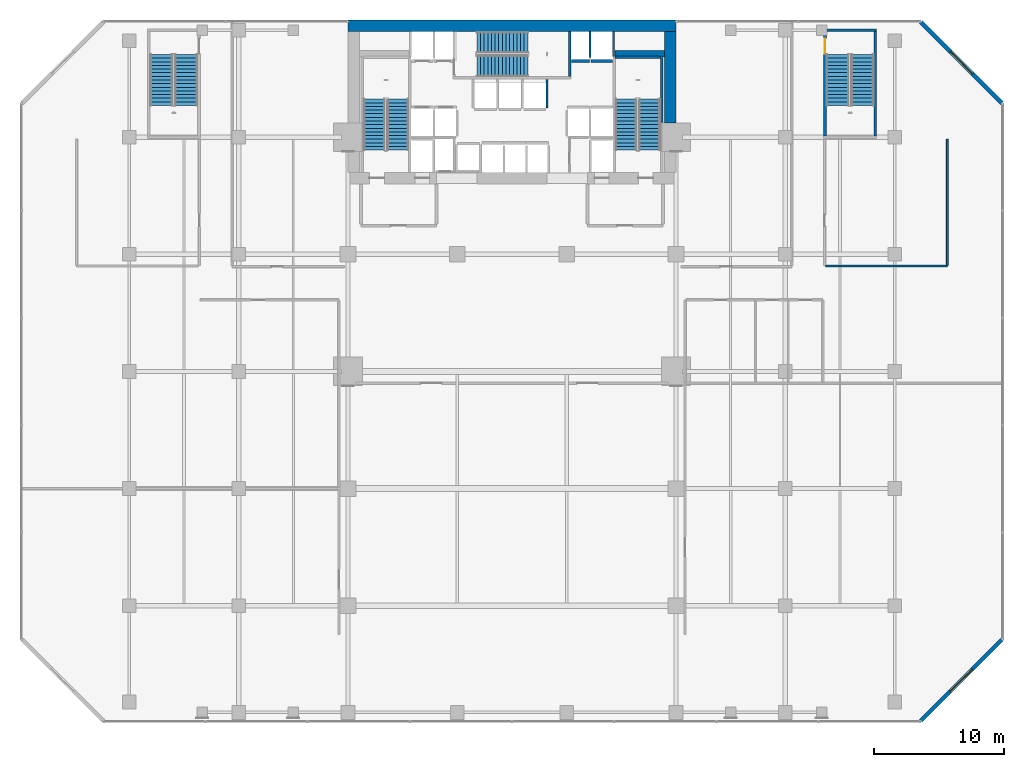
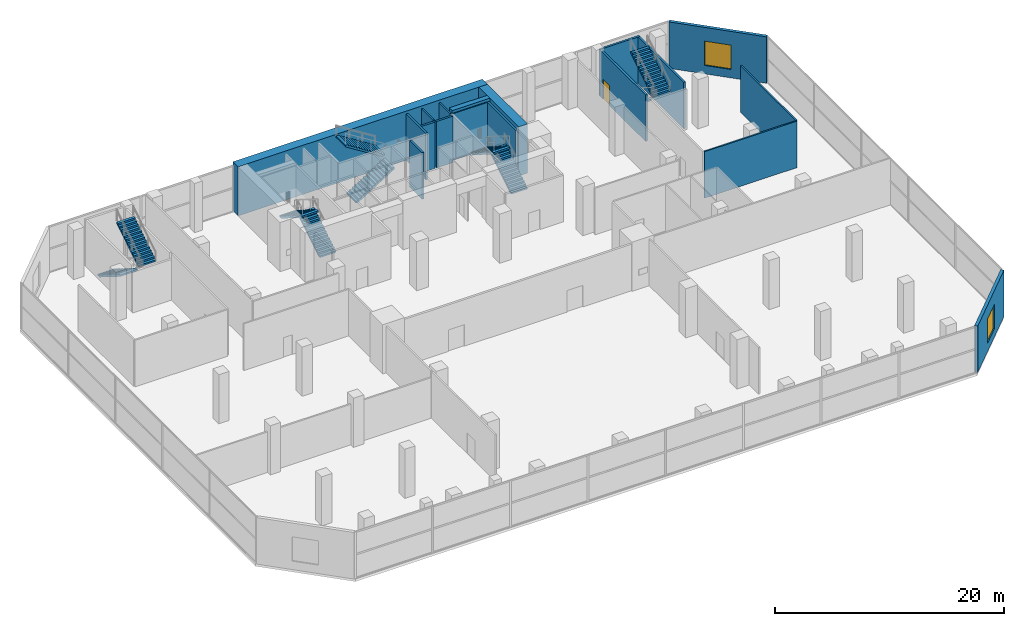
# One storey, part 37 of 40: 18 walls, 10 stair flights, 2 windows, 1 door, 3 openings, 5 elements without a shape of their own.
"""IFC4 building model written with IfcOpenShell, lengths in metres."""

import ifcopenshell
import ifcopenshell.guid

model = None  # the IFC model being written
_history = None  # IfcOwnerHistory: only IFC2X3 demands one
_inside = {}  # id of a spatial element -> (the spatial element, [elements in it])
_under = {}  # id of a project, library or spatial element -> (it, [spatial elements below it])
_declared = {}  # id of a project -> (the project, [libraries it declares])
_typed = {}  # id of a type object -> (the type object, [elements of that type])
_made_of = {}  # id of a material, layer set ... -> (it, [elements and type objects made of it])


def new_model(schema):
    """Start an empty IFC model of exactly this schema.

    Asked for "IFC4X3", IfcOpenShell would pick the latest addendum, in which some entities
    have other attributes; the version numbers below select the first issue.
    IFC2X3 requires an IfcOwnerHistory on every rooted entity: one is made here for all.
    """
    global model, _history
    if schema == "IFC4X3":
        model = ifcopenshell.file(schema_version=(4, 3, 0, 0))
    else:
        model = ifcopenshell.file(schema=schema)
    _inside.clear()
    _under.clear()
    _declared.clear()
    _typed.clear()
    _made_of.clear()
    _history = None
    if model.schema == "IFC2X3":
        org = make("IfcOrganization", Name="unknown")
        user = make(
            "IfcPersonAndOrganization",
            ThePerson=make("IfcPerson", FamilyName="unknown"),
            TheOrganization=org,
        )
        app = make(
            "IfcApplication",
            ApplicationDeveloper=org,
            Version="unknown",
            ApplicationFullName="unknown",
            ApplicationIdentifier="unknown",
        )
        _history = make(
            "IfcOwnerHistory",
            OwningUser=user,
            OwningApplication=app,
            ChangeAction="ADDED",
            CreationDate=0,
        )
    return model


def make(cls, **values):
    """One entity of the class cls with the attributes given. An attribute that is None is left unset."""
    return model.create_entity(
        cls, **{name: value for name, value in values.items() if value is not None}
    )


def rooted(cls, **values):
    """An entity with a GlobalId (a new one), such as an element, a storey or a relation."""
    return make(cls, GlobalId=ifcopenshell.guid.new(), OwnerHistory=_history, **values)


def si_unit(unit_type, name, prefix=None):
    """IfcSIUnit, for example si_unit("LENGTHUNIT", "METRE", prefix="MILLI")."""
    return make("IfcSIUnit", UnitType=unit_type, Prefix=prefix, Name=name)


def assignment(units):
    """IfcUnitAssignment: the units of a project."""
    return None if units is None else make("IfcUnitAssignment", Units=units)


def point(xyz):
    """IfcCartesianPoint."""
    return None if xyz is None else make("IfcCartesianPoint", Coordinates=xyz)


def direction(xyz):
    """IfcDirection."""
    return None if xyz is None else make("IfcDirection", DirectionRatios=xyz)


def frame(location, z_axis=None, x_axis=None):
    """IfcAxis2Placement3D, a coordinate frame: its origin and axes. An axis left out is left unset."""
    return make(
        "IfcAxis2Placement3D",
        Location=point(location),
        Axis=direction(z_axis),
        RefDirection=direction(x_axis),
    )


def frame_2d(location, x_axis=None):
    """IfcAxis2Placement2D, a coordinate frame in the plane: its origin and x axis."""
    return make(
        "IfcAxis2Placement2D", Location=point(location), RefDirection=direction(x_axis)
    )


def origin():
    """The frame at (0, 0, 0) with its axes left unset."""
    return frame((0.0, 0.0, 0.0))


def place(relative_to, where):
    """IfcLocalPlacement: puts the frame where relative to a parent placement (None: the world)."""
    return make(
        "IfcLocalPlacement", PlacementRelTo=relative_to, RelativePlacement=where
    )


def context(
    kind, dimensions, precision=None, world=None, true_north=None, identifier=None
):
    """IfcGeometricRepresentationContext, for example the 3D "Model" context."""
    return make(
        "IfcGeometricRepresentationContext",
        ContextIdentifier=identifier,
        ContextType=kind,
        CoordinateSpaceDimension=dimensions,
        Precision=precision,
        WorldCoordinateSystem=world,
        TrueNorth=true_north,
    )


def subcontext(parent, identifier, kind, view, scale=None):
    """IfcGeometricRepresentationSubContext, for example "Body" below "Model"."""
    return make(
        "IfcGeometricRepresentationSubContext",
        ContextIdentifier=identifier,
        ContextType=kind,
        ParentContext=parent,
        TargetScale=scale,
        TargetView=view,
    )


def project(units=None, contexts=None):
    """IfcProject with its units and contexts."""
    return rooted(
        "IfcProject",
        Name="project",
        RepresentationContexts=contexts,
        UnitsInContext=assignment(units),
    )


def spatial(cls, under=None, at=None, **own):
    """A site, building, storey or space (cls), placed at a placement, below another one or the project."""
    s = rooted(cls, ObjectPlacement=at, **own)
    if under is not None:
        _under.setdefault(under.id(), (under, []))[1].append(s)
    return s


def polyline(points):
    """IfcPolyline through the points."""
    return make("IfcPolyline", Points=[point(p) for p in points])


def profile(cls, at=None, kind="AREA", **sizes):
    """A parametric profile (cls). Its sizes go by their IFC names, for example OverallWidth=200.0."""
    return make(cls, ProfileType=kind, Position=at, **sizes)


def rectangle(**sizes):
    """IfcRectangleProfileDef."""
    return profile("IfcRectangleProfileDef", **sizes)


def outline(outer, holes=None, kind="AREA"):
    """IfcArbitraryClosedProfileDef: a profile drawn as a closed curve; with holes, ...WithVoids."""
    if holes is None:
        return make("IfcArbitraryClosedProfileDef", ProfileType=kind, OuterCurve=outer)
    return make(
        "IfcArbitraryProfileDefWithVoids",
        ProfileType=kind,
        OuterCurve=outer,
        InnerCurves=holes,
    )


def extrude(swept, where, along, depth):
    """IfcExtrudedAreaSolid: the profile swept, set in the frame where, extruded along a direction by depth."""
    return make(
        "IfcExtrudedAreaSolid",
        SweptArea=swept,
        Position=where,
        ExtrudedDirection=direction(along),
        Depth=depth,
    )


def shape(context_of_items, identifier, shape_type, items):
    """IfcShapeRepresentation: the items that make up one representation, for example the "Body"."""
    return make(
        "IfcShapeRepresentation",
        ContextOfItems=context_of_items,
        RepresentationIdentifier=identifier,
        RepresentationType=shape_type,
        Items=items,
    )


def material(Name=None, Category=None):
    """IfcMaterial."""
    return make("IfcMaterial", Name=Name, Category=Category)


def layer(
    of_material, thickness, ventilated=None, Name=None, Category=None, Priority=None
):
    """IfcMaterialLayer: one layer of a wall or slab, of a material (None: an air gap)."""
    return make(
        "IfcMaterialLayer",
        Material=of_material,
        LayerThickness=thickness,
        IsVentilated=ventilated,
        Name=Name,
        Category=Category,
        Priority=Priority,
    )


def layer_set(layers, Name=None):
    """IfcMaterialLayerSet."""
    return make("IfcMaterialLayerSet", MaterialLayers=layers, LayerSetName=Name)


def made_of(thing, what):
    """Note that an element or type object is made of a material, layer set ...; save() writes the relation."""
    if what is not None:
        _made_of.setdefault(what.id(), (what, []))[1].append(thing)
    return thing


def type_object(cls, material=None, **own):
    """A type object (cls), such as IfcWallType, which elements share."""
    return made_of(rooted(cls, **own), material)


def element(
    cls,
    number,
    at=None,
    inside=None,
    cuts=None,
    type_object=None,
    material=None,
    context=None,
    identifier="Body",
    shape_type=None,
    held_by="IfcProductDefinitionShape",
    body=None,
    shapes=None,
    **own,
):
    """One element of the class cls, such as IfcWall. Its Tag is "e" and its number.

    at: its placement. inside: the storey or other place that contains it. cuts: it is an
    opening in that element (IfcRelVoidsElement). A single representation is given by context,
    identifier, shape_type and body (its items); several are given by shapes. held_by: the class
    of the entity that holds the representations. save() writes the other relations.
    """
    e = rooted(cls, Tag="e%d" % number, ObjectPlacement=at, **own)
    if body is not None:
        shapes = [shape(context, identifier, shape_type, body)]
    if shapes is not None:
        e.Representation = make(held_by, Representations=shapes)
    if inside is not None:
        _inside.setdefault(inside.id(), (inside, []))[1].append(e)
    if cuts is not None:
        rooted(
            "IfcRelVoidsElement", RelatingBuildingElement=cuts, RelatedOpeningElement=e
        )
    if type_object is not None:
        _typed.setdefault(type_object.id(), (type_object, []))[1].append(e)
    return made_of(e, material)


def fill(opening, filler):
    """IfcRelFillsElement: the door or window that sits in an opening."""
    return rooted(
        "IfcRelFillsElement",
        RelatingOpeningElement=opening,
        RelatedBuildingElement=filler,
    )


def aggregate(whole, parts):
    """IfcRelAggregates: a whole, such as a stair, and the parts it consists of."""
    return rooted("IfcRelAggregates", RelatingObject=whole, RelatedObjects=parts)


def save(model, path):
    """Write the relations noted so far, then the file.

    IfcRelAggregates (storeys below a building ...), IfcRelContainedInSpatialStructure (elements
    in a storey), IfcRelDefinesByType, IfcRelAssociatesMaterial and IfcRelDeclares: one each for
    every whole, place, type object, material and project.
    """
    for whole, parts in _under.values():
        aggregate(whole, parts)
    for where, things in _inside.values():
        rooted(
            "IfcRelContainedInSpatialStructure",
            RelatedElements=things,
            RelatingStructure=where,
        )
    for kind, things in _typed.values():
        rooted("IfcRelDefinesByType", RelatedObjects=things, RelatingType=kind)
    for what, things in _made_of.values():
        rooted("IfcRelAssociatesMaterial", RelatedObjects=things, RelatingMaterial=what)
    for by, libraries in _declared.values():
        rooted("IfcRelDeclares", RelatingContext=by, RelatedDefinitions=libraries)
    model.write(path)


model = new_model("IFC4")

# Units and contexts
model_context = context("Model", 3, precision=1e-05, world=origin(), true_north=direction((0.0, 1.0)))
body_context = subcontext(model_context, "Body", "Model", "MODEL_VIEW")
ifc_project = project(units=[si_unit("LENGTHUNIT", "METRE"), si_unit("AREAUNIT", "SQUARE_METRE"), si_unit("VOLUMEUNIT", "CUBIC_METRE"), si_unit("PLANEANGLEUNIT", "RADIAN"), si_unit("MASSUNIT", "GRAM", prefix="KILO")], contexts=[model_context])

# Site, building, storey
site_placement = place(None, origin())
site = spatial("IfcSite", under=ifc_project, at=site_placement, CompositionType="ELEMENT")
building_placement = place(site_placement, origin())
building = spatial("IfcBuilding", under=site, at=building_placement, Name="Maruvema Waterfront Hotel and Observation Tower", CompositionType="ELEMENT")
storey_placement = place(building_placement, frame((0.0, 0.0, 5.60009765625)))
storey = spatial("IfcBuildingStorey", under=building, at=storey_placement, Name="L01", CompositionType="ELEMENT", Elevation=5.60009765625)

# Walls
ifc_material_1 = material(Name="Twin-stud acoustic gypsum drywall", Category="gypsum")
ifc_layer_1 = layer(ifc_material_1, 0.14990234375, Name="Acoustic Corridor and Suite Demising Wall 150 mm")
ifc_layer_set_1 = layer_set([ifc_layer_1], Name="Twin-stud acoustic gypsum drywall")
wall_type_1 = type_object("IfcWallType", Name="Acoustic Corridor and Suite Demising Wall 150 mm", PredefinedType="PARTITIONING", material=ifc_layer_set_1)
wall_1_placement = place(storey_placement, frame((61.89990234375, 35.10009765625, 0.0), z_axis=(0.0, 0.0, 1.0), x_axis=(1.0, 0.0, 0.0)))
element("IfcWall", 1, at=wall_1_placement, inside=storey, type_object=wall_type_1, Name="L01 L01 AV South Wall 034", PredefinedType="PARTITIONING", context=body_context, shape_type="SweptSolid", body=[
    extrude(rectangle(XDim=9.35009765625, YDim=0.14990234375, at=frame_2d((4.675048828125, 0.0))), origin(), (0.0, 0.0, 1.0), 4.969970703125),
])
wall_2_placement = place(storey_placement, frame((71.25, 35.14990234375, 0.0), z_axis=(0.0, 0.0, 1.0), x_axis=(0.0, 1.0, 0.0)))
element("IfcWall", 2, at=wall_2_placement, inside=storey, type_object=wall_type_1, Name="L01 L01 AV East Wall 035", PredefinedType="PARTITIONING", context=body_context, shape_type="SweptSolid", body=[
    extrude(rectangle(XDim=9.7001953125, YDim=0.14990234375, at=frame_2d((4.85009765625, 0.0))), origin(), (0.0, 0.0, 1.0), 4.969970703125),
])
ifc_material_2 = material(Name="Precast concrete C45/55", Category="concrete")
ifc_layer_2 = layer(ifc_material_2, 0.199951171875, Name="Core Shaft and Stairwell Enclosure Wall 200 mm")
ifc_layer_set_2 = layer_set([ifc_layer_2], Name="Precast concrete C45/55")
wall_type_2 = type_object("IfcWallType", Name="Core Shaft and Stairwell Enclosure Wall 200 mm", PredefinedType="SOLIDWALL", material=ifc_layer_set_2)
wall_3_placement = place(storey_placement, frame((42.25, 49.64990234375, 0.0), z_axis=(0.0, 0.0, 1.0), x_axis=(0.0, 1.0, 0.0)))
element("IfcWall", 3, at=wall_3_placement, inside=storey, type_object=wall_type_2, Name="L01 Stairwell ST-02 Shaft Wall", PredefinedType="SOLIDWALL", context=body_context, shape_type="SweptSolid", body=[
    extrude(rectangle(XDim=3.4501953125, YDim=0.199951171875, at=frame_2d((1.72509765625, 0.0))), origin(), (0.0, 0.0, 1.0), 4.969970703125),
])
wall_4_placement = place(storey_placement, frame((49.300048828125, 46.1201171875, 0.0), z_axis=(0.0, 0.0, 1.0), x_axis=(0.0, 1.0, 0.0)))
element("IfcWall", 4, at=wall_4_placement, inside=storey, type_object=wall_type_2, Name="L01 Stairwell ST-03 Shaft Lining Wall", PredefinedType="SOLIDWALL", context=body_context, shape_type="SweptSolid", body=[
    extrude(rectangle(XDim=5.0, YDim=0.199951171875, at=frame_2d((2.5, 0.0))), origin(), (0.0, 0.0, 1.0), 4.969970703125),
])
wall_5_placement = place(storey_placement, frame((45.719970703125, 51.14990234375, 0.0), z_axis=(0.0, 0.0, 1.0), x_axis=(1.0, 0.0, 0.0)))
element("IfcWall", 5, at=wall_5_placement, inside=storey, type_object=wall_type_2, Name="L01 Stairwell ST-03 Shaft Lining Wall", PredefinedType="SOLIDWALL", context=body_context, shape_type="SweptSolid", body=[
    extrude(rectangle(XDim=3.5, YDim=0.199951171875, at=frame_2d((1.75, 0.0))), origin(), (0.0, 0.0, 1.0), 4.969970703125),
])

# Wall, opening, door
wall_6_placement = place(storey_placement, frame((61.85009765625, 45.10009765625, 0.0), z_axis=(0.0, 0.0, 1.0), x_axis=(0.0, 1.0, 0.0)))
wall_6 = element("IfcWall", 6, at=wall_6_placement, inside=storey, type_object=wall_type_2, Name="L01 Stairwell ST-05 Shaft Wall", PredefinedType="SOLIDWALL", context=body_context, shape_type="SweptSolid", body=[
    extrude(rectangle(XDim=8.099853515625, YDim=0.199951171875, at=frame_2d((4.0498046875, 0.0))), origin(), (0.0, 0.0, 1.0), 4.969970703125),
])
opening_1_placement = place(wall_6_placement, frame((6.320068359375, 0.0, 0.0)))
opening_1 = element("IfcOpeningElement", 7, at=opening_1_placement, cuts=wall_6, Name="Opening SD-01", PredefinedType="OPENING", context=body_context, shape_type="SweptSolid", body=[
    extrude(rectangle(XDim=1.14990234375, YDim=2.14990234375, at=frame_2d((0.574951171875, 1.074951171875))), frame((0.0, 0.10986328125, 0.0), z_axis=(0.0, -1.0, 0.0), x_axis=(1.0, 0.0, 0.0)), (0.0, 0.0, 1.0), 0.219970703125),
])
ifc_material_3 = material(Name="Fire-rated galvanised steel leaf", Category="steel")
door_type = type_object("IfcDoorType", Name="Exit Stair Fire Door 1150x2150 mm", OperationType="NOTDEFINED", PredefinedType="DOOR", material=ifc_material_3)
door_placement = place(opening_1_placement, frame((1.14990234375, 0.0, 0.0), z_axis=(0.0, 0.0, 1.0), x_axis=(-1.0, 0.0, 0.0)))
door = element("IfcDoor", 8, at=door_placement, inside=storey, type_object=door_type, Name="L01 Exit Stair ST-05 Fire Door", OperationType="SINGLE_SWING_LEFT", OverallHeight=2.14990234375, OverallWidth=1.14990234375, PredefinedType="DOOR", context=body_context, shape_type="SweptSolid", body=[
    extrude(rectangle(XDim=1.14990234375, YDim=2.14990234375, at=frame_2d((0.574951171875, 1.074951171875))), frame((0.0, 0.02490234375, 0.0), z_axis=(0.0, -1.0, 0.0), x_axis=(1.0, 0.0, 0.0)), (0.0, 0.0, 1.0), 0.050048828125),
])
fill(opening_1, door)

# Walls
wall_7_placement = place(storey_placement, frame((65.699951171875, 45.10009765625, 0.0), z_axis=(0.0, 0.0, 1.0), x_axis=(0.0, 1.0, 0.0)))
element("IfcWall", 9, at=wall_7_placement, inside=storey, type_object=wall_type_2, Name="L01 Stairwell ST-05 Shaft Wall", PredefinedType="SOLIDWALL", context=body_context, shape_type="SweptSolid", body=[
    extrude(rectangle(XDim=8.099853515625, YDim=0.199951171875, at=frame_2d((4.0498046875, 0.0))), origin(), (0.0, 0.0, 1.0), 4.969970703125),
])
wall_8_placement = place(storey_placement, frame((61.75, 53.199951171875, 0.0), z_axis=(0.0, 0.0, 1.0), x_axis=(1.0, 0.0, 0.0)))
element("IfcWall", 10, at=wall_8_placement, inside=storey, type_object=wall_type_2, Name="L01 Stairwell ST-05 Shaft Wall", PredefinedType="SOLIDWALL", context=body_context, shape_type="SweptSolid", body=[
    extrude(rectangle(XDim=4.050048828125, YDim=0.199951171875, at=frame_2d((2.02490234375, 0.0))), origin(), (0.0, 0.0, 1.0), 4.969970703125),
])
wall_9_placement = place(storey_placement, frame((42.360107421875, 50.85009765625, 0.0), z_axis=(0.0, 0.0, 1.0), x_axis=(1.0, 0.0, 0.0)))
element("IfcWall", 11, at=wall_9_placement, inside=storey, type_object=wall_type_2, Name="L01 Lift LF-07 Hoistway Front Wall", PredefinedType="SOLIDWALL", context=body_context, shape_type="SweptSolid", body=[
    extrude(rectangle(XDim=1.3798828125, YDim=0.199951171875, at=frame_2d((0.68994140625, 0.0))), origin(), (0.0, 0.0, 1.0), 4.969970703125),
])
wall_10_placement = place(storey_placement, frame((43.860107421875, 50.85009765625, 0.0), z_axis=(0.0, 0.0, 1.0), x_axis=(1.0, 0.0, 0.0)))
element("IfcWall", 12, at=wall_10_placement, inside=storey, type_object=wall_type_2, Name="L01 Lift LF-08 Hoistway Front Wall", PredefinedType="SOLIDWALL", context=body_context, shape_type="SweptSolid", body=[
    extrude(rectangle(XDim=1.679931640625, YDim=0.199951171875, at=frame_2d((0.83984375, 0.0))), origin(), (0.0, 0.0, 1.0), 4.969970703125),
])
ifc_material_4 = material(Name="Concrete C70/85", Category="concrete")
ifc_layer_3 = layer(ifc_material_4, 0.5, Name="Core Shear Wall 500 mm")
ifc_layer_set_3 = layer_set([ifc_layer_3], Name="Concrete C70/85")
wall_type_3 = type_object("IfcWallType", Name="Core Shear Wall 500 mm", PredefinedType="SHEAR", material=ifc_layer_set_3)
wall_11_placement = place(storey_placement, frame((45.699951171875, 51.39990234375, 0.0), z_axis=(0.0, 0.0, 1.0), x_axis=(1.0, 0.0, 0.0)))
element("IfcWall", 13, at=wall_11_placement, inside=storey, type_object=wall_type_3, Name="L01 Internal Core Shear Wall NE 500 mm", PredefinedType="SHEAR", context=body_context, shape_type="SweptSolid", body=[
    extrude(rectangle(XDim=3.800048828125, YDim=0.5, at=frame_2d((1.89990234375, 0.0))), origin(), (0.0, 0.0, 1.0), 5.25),
])
ifc_material_5 = material(Name="Concrete C80/95", Category="concrete")
ifc_layer_4 = layer(ifc_material_5, 0.89990234375, Name="Core Shear Wall 900 mm")
ifc_layer_set_4 = layer_set([ifc_layer_4], Name="Concrete C80/95")
wall_type_4 = type_object("IfcWallType", Name="Core Shear Wall 900 mm", PredefinedType="SHEAR", material=ifc_layer_set_4)
wall_12_placement = place(storey_placement, frame((25.199951171875, 53.550048828125, 0.0), z_axis=(0.0, 0.0, 1.0), x_axis=(1.0, 0.0, 0.0)))
element("IfcWall", 14, at=wall_12_placement, inside=storey, type_object=wall_type_4, Name="L01 North Core Shear Wall", PredefinedType="SHEAR", context=body_context, shape_type="SweptSolid", body=[
    extrude(rectangle(XDim=25.199951171875, YDim=0.89990234375, at=frame_2d((12.60009765625, 0.0))), origin(), (0.0, 0.0, 1.0), 5.25),
])
wall_13_placement = place(storey_placement, frame((49.949951171875, 46.10009765625, 0.0), z_axis=(0.0, 0.0, 1.0), x_axis=(0.0, 1.0, 0.0)))
element("IfcWall", 15, at=wall_13_placement, inside=storey, type_object=wall_type_4, Name="L01 East-North Core Shear Wall", PredefinedType="SHEAR", context=body_context, shape_type="SweptSolid", body=[
    extrude(rectangle(XDim=7.0, YDim=0.89990234375, at=frame_2d((3.5, 0.0))), origin(), (0.0, 0.0, 1.0), 5.25),
])
ifc_material_6 = material(Name="Precast concrete C45/55", Category="concrete")
ifc_layer_5 = layer(ifc_material_6, 0.159912109375, Name="Lift Hoistway Divider Wall 160 mm")
ifc_layer_set_5 = layer_set([ifc_layer_5], Name="Precast concrete C45/55")
wall_type_5 = type_object("IfcWallType", Name="Lift Hoistway Divider Wall 160 mm", PredefinedType="SOLIDWALL", material=ifc_layer_set_5)
wall_14_placement = place(storey_placement, frame((45.590087890625, 51.179931640625, 0.0), z_axis=(0.0, 0.0, 1.0), x_axis=(0.0, 1.0, 0.0)))
element("IfcWall", 16, at=wall_14_placement, inside=storey, type_object=wall_type_5, Name="L01 Hoistway Divider Wall", PredefinedType="SOLIDWALL", context=body_context, shape_type="SweptSolid", body=[
    extrude(rectangle(XDim=1.920166015625, YDim=0.159912109375, at=frame_2d((0.9599609375, 0.0))), origin(), (0.0, 0.0, 1.0), 4.969970703125),
])
wall_15_placement = place(storey_placement, frame((43.800048828125, 51.10009765625, 0.0), z_axis=(0.0, 0.0, 1.0), x_axis=(0.0, 1.0, 0.0)))
element("IfcWall", 17, at=wall_15_placement, inside=storey, type_object=wall_type_5, Name="L01 Hoistway Divider Wall", PredefinedType="SOLIDWALL", context=body_context, shape_type="SweptSolid", body=[
    extrude(rectangle(XDim=2.0, YDim=0.159912109375, at=frame_2d((1.0, 0.0))), origin(), (0.0, 0.0, 1.0), 4.969970703125),
])
wall_16_placement = place(storey_placement, frame((40.5, 47.25, 0.0), z_axis=(0.0, 0.0, 1.0), x_axis=(0.0, 1.0, 0.0)))
element("IfcWall", 18, at=wall_16_placement, inside=storey, type_object=wall_type_5, Name="L01 Hoistway Divider Wall", PredefinedType="SOLIDWALL", context=body_context, shape_type="SweptSolid", body=[
    extrude(rectangle(XDim=2.18994140625, YDim=0.159912109375, at=frame_2d((1.094970703125, 0.0))), origin(), (0.0, 0.0, 1.0), 4.969970703125),
])

# Wall, opening, window
ifc_material_7 = material(Name="Precast concrete C45/55 with honed Pernambuco granite facing", Category="masonry")
ifc_layer_6 = layer(ifc_material_7, 0.300048828125, Name="Podium Waterfront Granite Colonnade Wall 300 mm")
ifc_layer_set_6 = layer_set([ifc_layer_6], Name="Precast concrete C45/55 with honed Pernambuco granite facing")
wall_type_6 = type_object("IfcWallType", Name="Podium Waterfront Granite Colonnade Wall 300 mm", PredefinedType="SOLIDWALL", material=ifc_layer_set_6)
wall_17_placement = place(storey_placement, frame((69.199951171875, 0.14990234375, 0.0), z_axis=(0.0, 0.0, 1.0), x_axis=(0.707106781187, 0.707106781187, 0.0)))
wall_17 = element("IfcWall", 19, at=wall_17_placement, inside=storey, type_object=wall_type_6, Name="L01 Podium Chamfer Granite Pier Wall SE", PredefinedType="SOLIDWALL", context=body_context, shape_type="SweptSolid", body=[
    extrude(rectangle(XDim=8.8388671875, YDim=0.300048828125, at=frame_2d((4.41943359375, 0.0))), origin(), (0.0, 0.0, 1.0), 4.969970703125),
])
opening_2_placement = place(wall_17_placement, frame((3.199951171875, 0.0, 0.89990234375)))
opening_2 = element("IfcOpeningElement", 20, at=opening_2_placement, cuts=wall_17, Name="Opening WN-04", PredefinedType="OPENING", context=body_context, shape_type="SweptSolid", body=[
    extrude(rectangle(XDim=2.39990234375, YDim=2.60009765625, at=frame_2d((1.199951171875, 1.300048828125))), frame((0.0, 0.16015625, 0.0), z_axis=(0.0, -1.0, 0.0), x_axis=(1.0, 0.0, 0.0)), (0.0, 0.0, 1.0), 0.320068359375),
])
ifc_material_8 = material(Name="Anodised bronze aluminium frame with laminated low-E glass", Category="aluminium")
window_type = type_object("IfcWindowType", Name="Podium Waterfront Punched Window 2400x2600 mm", PartitioningType="SINGLE_PANEL", PredefinedType="WINDOW", material=ifc_material_8)
window_1_placement = place(opening_2_placement, origin())
window_1 = element("IfcWindow", 21, at=window_1_placement, inside=storey, type_object=window_type, Name="L01 Podium Chamfer Feature Window SE", OverallHeight=2.60009765625, OverallWidth=2.39990234375, PartitioningType="SINGLE_PANEL", PredefinedType="WINDOW", context=body_context, shape_type="SweptSolid", body=[
    extrude(rectangle(XDim=2.39990234375, YDim=2.60009765625, at=frame_2d((1.199951171875, 1.300048828125))), frame((0.0, 0.030029296875, 0.0), z_axis=(0.0, -1.0, 0.0), x_axis=(1.0, 0.0, 0.0)), (0.0, 0.0, 1.0), 0.06005859375),
])
fill(opening_2, window_1)

wall_18_placement = place(storey_placement, frame((75.449951171875, 47.60009765625, 0.0), z_axis=(0.0, 0.0, 1.0), x_axis=(-0.707106781187, 0.707106781187, 0.0)))
wall_18 = element("IfcWall", 22, at=wall_18_placement, inside=storey, type_object=wall_type_6, Name="L01 Podium Chamfer Granite Pier Wall NE", PredefinedType="SOLIDWALL", context=body_context, shape_type="SweptSolid", body=[
    extrude(rectangle(XDim=8.8388671875, YDim=0.300048828125, at=frame_2d((4.41943359375, 0.0))), origin(), (0.0, 0.0, 1.0), 4.969970703125),
])
opening_3_placement = place(wall_18_placement, frame((3.199951171875, 0.0, 0.89990234375)))
opening_3 = element("IfcOpeningElement", 23, at=opening_3_placement, cuts=wall_18, Name="Opening WN-04", PredefinedType="OPENING", context=body_context, shape_type="SweptSolid", body=[
    extrude(rectangle(XDim=2.39990234375, YDim=2.60009765625, at=frame_2d((1.199951171875, 1.300048828125))), frame((0.0, 0.16015625, 0.0), z_axis=(0.0, -1.0, 0.0), x_axis=(1.0, 0.0, 0.0)), (0.0, 0.0, 1.0), 0.320068359375),
])
window_2_placement = place(opening_3_placement, origin())
window_2 = element("IfcWindow", 24, at=window_2_placement, inside=storey, type_object=window_type, Name="L01 Podium Chamfer Feature Window NE", OverallHeight=2.60009765625, OverallWidth=2.39990234375, PartitioningType="SINGLE_PANEL", PredefinedType="WINDOW", context=body_context, shape_type="SweptSolid", body=[
    extrude(rectangle(XDim=2.39990234375, YDim=2.60009765625, at=frame_2d((1.199951171875, 1.300048828125))), frame((0.0, 0.030029296875, 0.0), z_axis=(0.0, -1.0, 0.0), x_axis=(1.0, 0.0, 0.0)), (0.0, 0.0, 1.0), 0.06005859375),
])
fill(opening_3, window_2)

# Stair, stair flights
ifc_material_9 = material(Name="Concrete C50/60", Category="concrete")
stair_type_1 = type_object("IfcStairType", Name="Dogleg Exit Stair 1650 mm (30R x 175.0 mm)", PredefinedType="HALF_TURN_STAIR", material=ifc_material_9)
stair_1_placement = place(storey_placement, origin())
stair_1 = element("IfcStair", 25, at=stair_1_placement, inside=storey, type_object=stair_type_1, Name="L01 ST-01", PredefinedType="HALF_TURN_STAIR")
ifc_material_10 = material(Name="Concrete C50/60", Category="concrete")
stair_flight_type_1 = type_object("IfcStairFlightType", Name="Reinforced Concrete Stair Flight 1650 mm (15R x 175.0 mm)", PredefinedType="STRAIGHT", material=ifc_material_10)
stair_flight_1_placement = place(storey_placement, frame((29.02490234375, 44.0, 0.0), z_axis=(0.0, 0.0, 1.0), x_axis=(0.0, 1.0, 0.0)))
stair_flight_1 = element("IfcStairFlight", 26, at=stair_flight_1_placement, type_object=stair_flight_type_1, Name="ST-01 flight 1", NumberOfRisers=15, NumberOfTreads=14, PredefinedType="STRAIGHT", RiserHeight=0.175, TreadLength=0.28, context=body_context, shape_type="SweptSolid", body=[
    extrude(outline(polyline([(0.0, 0.0), (0.0, 0.175048828125), (0.280029296875, 0.175048828125), (0.280029296875, 0.35009765625), (0.56005859375, 0.35009765625), (0.56005859375, 0.52490234375), (0.840087890625, 0.52490234375), (0.840087890625, 0.699951171875), (1.1201171875, 0.699951171875), (1.1201171875, 0.875), (1.39990234375, 0.875), (1.39990234375, 1.050048828125), (1.679931640625, 1.050048828125), (1.679931640625, 1.22509765625), (1.9599609375, 1.22509765625), (1.9599609375, 1.39990234375), (2.239990234375, 1.39990234375), (2.239990234375, 1.574951171875), (2.52001953125, 1.574951171875), (2.52001953125, 1.75), (2.800048828125, 1.75), (2.800048828125, 1.925048828125), (3.080078125, 1.925048828125), (3.080078125, 2.10009765625), (3.360107421875, 2.10009765625), (3.360107421875, 2.27490234375), (3.639892578125, 2.27490234375), (3.639892578125, 2.449951171875), (3.919921875, 2.449951171875), (3.919921875, 2.625), (3.919921875, 2.273193359375), (0.28271484375, 0.0), (0.0, 0.0)])), frame((0.0, 0.824951171875, 0.0), z_axis=(0.0, -1.0, 0.0), x_axis=(1.0, 0.0, 0.0)), (0.0, 0.0, 1.0), 1.64990234375),
])
stair_flight_2_placement = place(storey_placement, frame((27.22509765625, 47.919921875, 2.625), z_axis=(0.0, 0.0, 1.0), x_axis=(0.0, -1.0, 0.0)))
stair_flight_2 = element("IfcStairFlight", 27, at=stair_flight_2_placement, type_object=stair_flight_type_1, Name="ST-01 flight 2", NumberOfRisers=15, NumberOfTreads=14, PredefinedType="STRAIGHT", RiserHeight=0.175, TreadLength=0.28, context=body_context, shape_type="SweptSolid", body=[
    extrude(outline(polyline([(0.0, 0.0), (0.0, 0.175048828125), (0.280029296875, 0.175048828125), (0.280029296875, 0.35009765625), (0.56005859375, 0.35009765625), (0.56005859375, 0.52490234375), (0.840087890625, 0.52490234375), (0.840087890625, 0.699951171875), (1.1201171875, 0.699951171875), (1.1201171875, 0.875), (1.39990234375, 0.875), (1.39990234375, 1.050048828125), (1.679931640625, 1.050048828125), (1.679931640625, 1.22509765625), (1.9599609375, 1.22509765625), (1.9599609375, 1.39990234375), (2.239990234375, 1.39990234375), (2.239990234375, 1.574951171875), (2.52001953125, 1.574951171875), (2.52001953125, 1.75), (2.800048828125, 1.75), (2.800048828125, 1.925048828125), (3.080078125, 1.925048828125), (3.080078125, 2.10009765625), (3.360107421875, 2.10009765625), (3.360107421875, 2.27490234375), (3.639892578125, 2.27490234375), (3.639892578125, 2.449951171875), (3.919921875, 2.449951171875), (3.919921875, 2.625), (3.919921875, 2.273193359375), (0.28271484375, 0.0), (0.0, 0.0)])), frame((0.0, 0.824951171875, 0.0), z_axis=(0.0, -1.0, 0.0), x_axis=(1.0, 0.0, 0.0)), (0.0, 0.0, 1.0), 1.64990234375),
])
aggregate(stair_1, [stair_flight_1, stair_flight_2])

stair_2_placement = place(storey_placement, origin())
stair_2 = element("IfcStair", 28, at=stair_2_placement, inside=storey, type_object=stair_type_1, Name="L01 ST-02", PredefinedType="HALF_TURN_STAIR")
stair_flight_3_placement = place(storey_placement, frame((35.10009765625, 50.47509765625, 0.0), z_axis=(0.0, 0.0, 1.0), x_axis=(1.0, 0.0, 0.0)))
stair_flight_3 = element("IfcStairFlight", 29, at=stair_flight_3_placement, type_object=stair_flight_type_1, Name="ST-02 flight 1", NumberOfRisers=15, NumberOfTreads=14, PredefinedType="STRAIGHT", RiserHeight=0.175, TreadLength=0.28, context=body_context, shape_type="SweptSolid", body=[
    extrude(outline(polyline([(0.0, 0.0), (0.0, 0.175048828125), (0.280029296875, 0.175048828125), (0.280029296875, 0.35009765625), (0.56005859375, 0.35009765625), (0.56005859375, 0.52490234375), (0.840087890625, 0.52490234375), (0.840087890625, 0.699951171875), (1.1201171875, 0.699951171875), (1.1201171875, 0.875), (1.39990234375, 0.875), (1.39990234375, 1.050048828125), (1.679931640625, 1.050048828125), (1.679931640625, 1.22509765625), (1.9599609375, 1.22509765625), (1.9599609375, 1.39990234375), (2.239990234375, 1.39990234375), (2.239990234375, 1.574951171875), (2.52001953125, 1.574951171875), (2.52001953125, 1.75), (2.800048828125, 1.75), (2.800048828125, 1.925048828125), (3.080078125, 1.925048828125), (3.080078125, 2.10009765625), (3.360107421875, 2.10009765625), (3.360107421875, 2.27490234375), (3.639892578125, 2.27490234375), (3.639892578125, 2.449951171875), (3.919921875, 2.449951171875), (3.919921875, 2.625), (3.919921875, 2.273193359375), (0.28271484375, 0.0), (0.0, 0.0)])), frame((0.0, 0.824951171875, 0.0), z_axis=(0.0, -1.0, 0.0), x_axis=(1.0, 0.0, 0.0)), (0.0, 0.0, 1.0), 1.64990234375),
])
stair_flight_4_placement = place(storey_placement, frame((39.02001953125, 52.27490234375, 2.625), z_axis=(0.0, 0.0, 1.0), x_axis=(-1.0, 0.0, 0.0)))
stair_flight_4 = element("IfcStairFlight", 30, at=stair_flight_4_placement, type_object=stair_flight_type_1, Name="ST-02 flight 2", NumberOfRisers=15, NumberOfTreads=14, PredefinedType="STRAIGHT", RiserHeight=0.175, TreadLength=0.28, context=body_context, shape_type="SweptSolid", body=[
    extrude(outline(polyline([(0.0, 0.0), (0.0, 0.175048828125), (0.280029296875, 0.175048828125), (0.280029296875, 0.35009765625), (0.56005859375, 0.35009765625), (0.56005859375, 0.52490234375), (0.840087890625, 0.52490234375), (0.840087890625, 0.699951171875), (1.1201171875, 0.699951171875), (1.1201171875, 0.875), (1.39990234375, 0.875), (1.39990234375, 1.050048828125), (1.679931640625, 1.050048828125), (1.679931640625, 1.22509765625), (1.9599609375, 1.22509765625), (1.9599609375, 1.39990234375), (2.239990234375, 1.39990234375), (2.239990234375, 1.574951171875), (2.52001953125, 1.574951171875), (2.52001953125, 1.75), (2.800048828125, 1.75), (2.800048828125, 1.925048828125), (3.080078125, 1.925048828125), (3.080078125, 2.10009765625), (3.360107421875, 2.10009765625), (3.360107421875, 2.27490234375), (3.639892578125, 2.27490234375), (3.639892578125, 2.449951171875), (3.919921875, 2.449951171875), (3.919921875, 2.625), (3.919921875, 2.273193359375), (0.28271484375, 0.0), (0.0, 0.0)])), frame((0.0, 0.824951171875, 0.0), z_axis=(0.0, -1.0, 0.0), x_axis=(1.0, 0.0, 0.0)), (0.0, 0.0, 1.0), 1.64990234375),
])
aggregate(stair_2, [stair_flight_3, stair_flight_4])

stair_3_placement = place(storey_placement, origin())
stair_3 = element("IfcStair", 31, at=stair_3_placement, inside=storey, type_object=stair_type_1, Name="L01 ST-03", PredefinedType="HALF_TURN_STAIR")
stair_flight_5_placement = place(storey_placement, frame((48.375, 44.0, 0.0), z_axis=(0.0, 0.0, 1.0), x_axis=(0.0, 1.0, 0.0)))
stair_flight_5 = element("IfcStairFlight", 32, at=stair_flight_5_placement, type_object=stair_flight_type_1, Name="ST-03 flight 1", NumberOfRisers=15, NumberOfTreads=14, PredefinedType="STRAIGHT", RiserHeight=0.175, TreadLength=0.28, context=body_context, shape_type="SweptSolid", body=[
    extrude(outline(polyline([(0.0, 0.0), (0.0, 0.175048828125), (0.280029296875, 0.175048828125), (0.280029296875, 0.35009765625), (0.56005859375, 0.35009765625), (0.56005859375, 0.52490234375), (0.840087890625, 0.52490234375), (0.840087890625, 0.699951171875), (1.1201171875, 0.699951171875), (1.1201171875, 0.875), (1.39990234375, 0.875), (1.39990234375, 1.050048828125), (1.679931640625, 1.050048828125), (1.679931640625, 1.22509765625), (1.9599609375, 1.22509765625), (1.9599609375, 1.39990234375), (2.239990234375, 1.39990234375), (2.239990234375, 1.574951171875), (2.52001953125, 1.574951171875), (2.52001953125, 1.75), (2.800048828125, 1.75), (2.800048828125, 1.925048828125), (3.080078125, 1.925048828125), (3.080078125, 2.10009765625), (3.360107421875, 2.10009765625), (3.360107421875, 2.27490234375), (3.639892578125, 2.27490234375), (3.639892578125, 2.449951171875), (3.919921875, 2.449951171875), (3.919921875, 2.625), (3.919921875, 2.273193359375), (0.28271484375, 0.0), (0.0, 0.0)])), frame((0.0, 0.824951171875, 0.0), z_axis=(0.0, -1.0, 0.0), x_axis=(1.0, 0.0, 0.0)), (0.0, 0.0, 1.0), 1.64990234375),
])
stair_flight_6_placement = place(storey_placement, frame((46.574951171875, 47.919921875, 2.625), z_axis=(0.0, 0.0, 1.0), x_axis=(0.0, -1.0, 0.0)))
stair_flight_6 = element("IfcStairFlight", 33, at=stair_flight_6_placement, type_object=stair_flight_type_1, Name="ST-03 flight 2", NumberOfRisers=15, NumberOfTreads=14, PredefinedType="STRAIGHT", RiserHeight=0.175, TreadLength=0.28, context=body_context, shape_type="SweptSolid", body=[
    extrude(outline(polyline([(0.0, 0.0), (0.0, 0.175048828125), (0.280029296875, 0.175048828125), (0.280029296875, 0.35009765625), (0.56005859375, 0.35009765625), (0.56005859375, 0.52490234375), (0.840087890625, 0.52490234375), (0.840087890625, 0.699951171875), (1.1201171875, 0.699951171875), (1.1201171875, 0.875), (1.39990234375, 0.875), (1.39990234375, 1.050048828125), (1.679931640625, 1.050048828125), (1.679931640625, 1.22509765625), (1.9599609375, 1.22509765625), (1.9599609375, 1.39990234375), (2.239990234375, 1.39990234375), (2.239990234375, 1.574951171875), (2.52001953125, 1.574951171875), (2.52001953125, 1.75), (2.800048828125, 1.75), (2.800048828125, 1.925048828125), (3.080078125, 1.925048828125), (3.080078125, 2.10009765625), (3.360107421875, 2.10009765625), (3.360107421875, 2.27490234375), (3.639892578125, 2.27490234375), (3.639892578125, 2.449951171875), (3.919921875, 2.449951171875), (3.919921875, 2.625), (3.919921875, 2.273193359375), (0.28271484375, 0.0), (0.0, 0.0)])), frame((0.0, 0.824951171875, 0.0), z_axis=(0.0, -1.0, 0.0), x_axis=(1.0, 0.0, 0.0)), (0.0, 0.0, 1.0), 1.64990234375),
])
aggregate(stair_3, [stair_flight_5, stair_flight_6])

ifc_material_11 = material(Name="Concrete C50/60", Category="concrete")
stair_type_2 = type_object("IfcStairType", Name="Dogleg Exit Stair 1750 mm (30R x 175.0 mm)", PredefinedType="HALF_TURN_STAIR", material=ifc_material_11)
stair_4_placement = place(storey_placement, origin())
stair_4 = element("IfcStair", 34, at=stair_4_placement, inside=storey, type_object=stair_type_2, Name="L01 ST-04", PredefinedType="HALF_TURN_STAIR")
ifc_material_12 = material(Name="Concrete C50/60", Category="concrete")
stair_flight_type_2 = type_object("IfcStairFlightType", Name="Reinforced Concrete Stair Flight 1750 mm (15R x 175.0 mm)", PredefinedType="STRAIGHT", material=ifc_material_12)
stair_flight_7_placement = place(storey_placement, frame((10.875, 51.35009765625, 0.0), z_axis=(0.0, 0.0, 1.0), x_axis=(0.0, -1.0, 0.0)))
stair_flight_7 = element("IfcStairFlight", 35, at=stair_flight_7_placement, type_object=stair_flight_type_2, Name="ST-04 flight 1", NumberOfRisers=15, NumberOfTreads=14, PredefinedType="STRAIGHT", RiserHeight=0.175, TreadLength=0.28, context=body_context, shape_type="SweptSolid", body=[
    extrude(outline(polyline([(0.0, 0.0), (0.0, 0.175048828125), (0.280029296875, 0.175048828125), (0.280029296875, 0.35009765625), (0.56005859375, 0.35009765625), (0.56005859375, 0.52490234375), (0.840087890625, 0.52490234375), (0.840087890625, 0.699951171875), (1.1201171875, 0.699951171875), (1.1201171875, 0.875), (1.39990234375, 0.875), (1.39990234375, 1.050048828125), (1.679931640625, 1.050048828125), (1.679931640625, 1.22509765625), (1.9599609375, 1.22509765625), (1.9599609375, 1.39990234375), (2.239990234375, 1.39990234375), (2.239990234375, 1.574951171875), (2.52001953125, 1.574951171875), (2.52001953125, 1.75), (2.800048828125, 1.75), (2.800048828125, 1.925048828125), (3.080078125, 1.925048828125), (3.080078125, 2.10009765625), (3.360107421875, 2.10009765625), (3.360107421875, 2.27490234375), (3.639892578125, 2.27490234375), (3.639892578125, 2.449951171875), (3.919921875, 2.449951171875), (3.919921875, 2.625), (3.919921875, 2.273193359375), (0.28271484375, 0.0), (0.0, 0.0)])), frame((0.0, 0.875, 0.0), z_axis=(0.0, -1.0, 0.0), x_axis=(1.0, 0.0, 0.0)), (0.0, 0.0, 1.0), 1.75),
])
stair_flight_8_placement = place(storey_placement, frame((12.77490234375, 47.429931640625, 2.625), z_axis=(0.0, 0.0, 1.0), x_axis=(0.0, 1.0, 0.0)))
stair_flight_8 = element("IfcStairFlight", 36, at=stair_flight_8_placement, type_object=stair_flight_type_2, Name="ST-04 flight 2", NumberOfRisers=15, NumberOfTreads=14, PredefinedType="STRAIGHT", RiserHeight=0.175, TreadLength=0.28, context=body_context, shape_type="SweptSolid", body=[
    extrude(outline(polyline([(0.0, 0.0), (0.0, 0.175048828125), (0.280029296875, 0.175048828125), (0.280029296875, 0.35009765625), (0.56005859375, 0.35009765625), (0.56005859375, 0.52490234375), (0.840087890625, 0.52490234375), (0.840087890625, 0.699951171875), (1.1201171875, 0.699951171875), (1.1201171875, 0.875), (1.39990234375, 0.875), (1.39990234375, 1.050048828125), (1.679931640625, 1.050048828125), (1.679931640625, 1.22509765625), (1.9599609375, 1.22509765625), (1.9599609375, 1.39990234375), (2.239990234375, 1.39990234375), (2.239990234375, 1.574951171875), (2.52001953125, 1.574951171875), (2.52001953125, 1.75), (2.800048828125, 1.75), (2.800048828125, 1.925048828125), (3.080078125, 1.925048828125), (3.080078125, 2.10009765625), (3.360107421875, 2.10009765625), (3.360107421875, 2.27490234375), (3.639892578125, 2.27490234375), (3.639892578125, 2.449951171875), (3.919921875, 2.449951171875), (3.919921875, 2.625), (3.919921875, 2.273193359375), (0.28271484375, 0.0), (0.0, 0.0)])), frame((0.0, 0.875, 0.0), z_axis=(0.0, -1.0, 0.0), x_axis=(1.0, 0.0, 0.0)), (0.0, 0.0, 1.0), 1.75),
])
aggregate(stair_4, [stair_flight_7, stair_flight_8])

stair_5_placement = place(storey_placement, origin())
stair_5 = element("IfcStair", 37, at=stair_5_placement, inside=storey, type_object=stair_type_2, Name="L01 ST-05", PredefinedType="HALF_TURN_STAIR")
stair_flight_9_placement = place(storey_placement, frame((62.824951171875, 51.35009765625, 0.0), z_axis=(0.0, 0.0, 1.0), x_axis=(0.0, -1.0, 0.0)))
stair_flight_9 = element("IfcStairFlight", 38, at=stair_flight_9_placement, type_object=stair_flight_type_2, Name="ST-05 flight 1", NumberOfRisers=15, NumberOfTreads=14, PredefinedType="STRAIGHT", RiserHeight=0.175, TreadLength=0.28, context=body_context, shape_type="SweptSolid", body=[
    extrude(outline(polyline([(0.0, 0.0), (0.0, 0.175048828125), (0.280029296875, 0.175048828125), (0.280029296875, 0.35009765625), (0.56005859375, 0.35009765625), (0.56005859375, 0.52490234375), (0.840087890625, 0.52490234375), (0.840087890625, 0.699951171875), (1.1201171875, 0.699951171875), (1.1201171875, 0.875), (1.39990234375, 0.875), (1.39990234375, 1.050048828125), (1.679931640625, 1.050048828125), (1.679931640625, 1.22509765625), (1.9599609375, 1.22509765625), (1.9599609375, 1.39990234375), (2.239990234375, 1.39990234375), (2.239990234375, 1.574951171875), (2.52001953125, 1.574951171875), (2.52001953125, 1.75), (2.800048828125, 1.75), (2.800048828125, 1.925048828125), (3.080078125, 1.925048828125), (3.080078125, 2.10009765625), (3.360107421875, 2.10009765625), (3.360107421875, 2.27490234375), (3.639892578125, 2.27490234375), (3.639892578125, 2.449951171875), (3.919921875, 2.449951171875), (3.919921875, 2.625), (3.919921875, 2.273193359375), (0.28271484375, 0.0), (0.0, 0.0)])), frame((0.0, 0.875, 0.0), z_axis=(0.0, -1.0, 0.0), x_axis=(1.0, 0.0, 0.0)), (0.0, 0.0, 1.0), 1.75),
])
stair_flight_10_placement = place(storey_placement, frame((64.72509765625, 47.429931640625, 2.625), z_axis=(0.0, 0.0, 1.0), x_axis=(0.0, 1.0, 0.0)))
stair_flight_10 = element("IfcStairFlight", 39, at=stair_flight_10_placement, type_object=stair_flight_type_2, Name="ST-05 flight 2", NumberOfRisers=15, NumberOfTreads=14, PredefinedType="STRAIGHT", RiserHeight=0.175, TreadLength=0.28, context=body_context, shape_type="SweptSolid", body=[
    extrude(outline(polyline([(0.0, 0.0), (0.0, 0.175048828125), (0.280029296875, 0.175048828125), (0.280029296875, 0.35009765625), (0.56005859375, 0.35009765625), (0.56005859375, 0.52490234375), (0.840087890625, 0.52490234375), (0.840087890625, 0.699951171875), (1.1201171875, 0.699951171875), (1.1201171875, 0.875), (1.39990234375, 0.875), (1.39990234375, 1.050048828125), (1.679931640625, 1.050048828125), (1.679931640625, 1.22509765625), (1.9599609375, 1.22509765625), (1.9599609375, 1.39990234375), (2.239990234375, 1.39990234375), (2.239990234375, 1.574951171875), (2.52001953125, 1.574951171875), (2.52001953125, 1.75), (2.800048828125, 1.75), (2.800048828125, 1.925048828125), (3.080078125, 1.925048828125), (3.080078125, 2.10009765625), (3.360107421875, 2.10009765625), (3.360107421875, 2.27490234375), (3.639892578125, 2.27490234375), (3.639892578125, 2.449951171875), (3.919921875, 2.449951171875), (3.919921875, 2.625), (3.919921875, 2.273193359375), (0.28271484375, 0.0), (0.0, 0.0)])), frame((0.0, 0.875, 0.0), z_axis=(0.0, -1.0, 0.0), x_axis=(1.0, 0.0, 0.0)), (0.0, 0.0, 1.0), 1.75),
])
aggregate(stair_5, [stair_flight_9, stair_flight_10])

save(model, "model.ifc")
